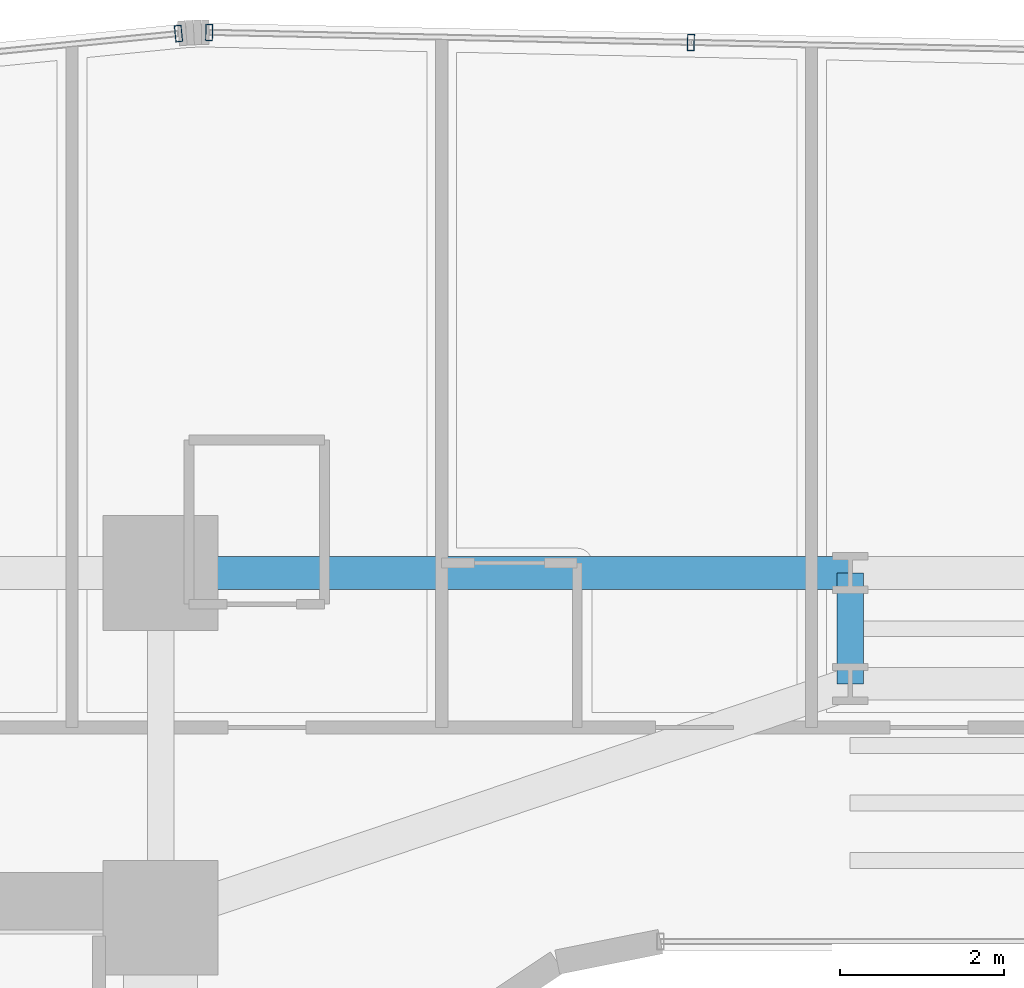
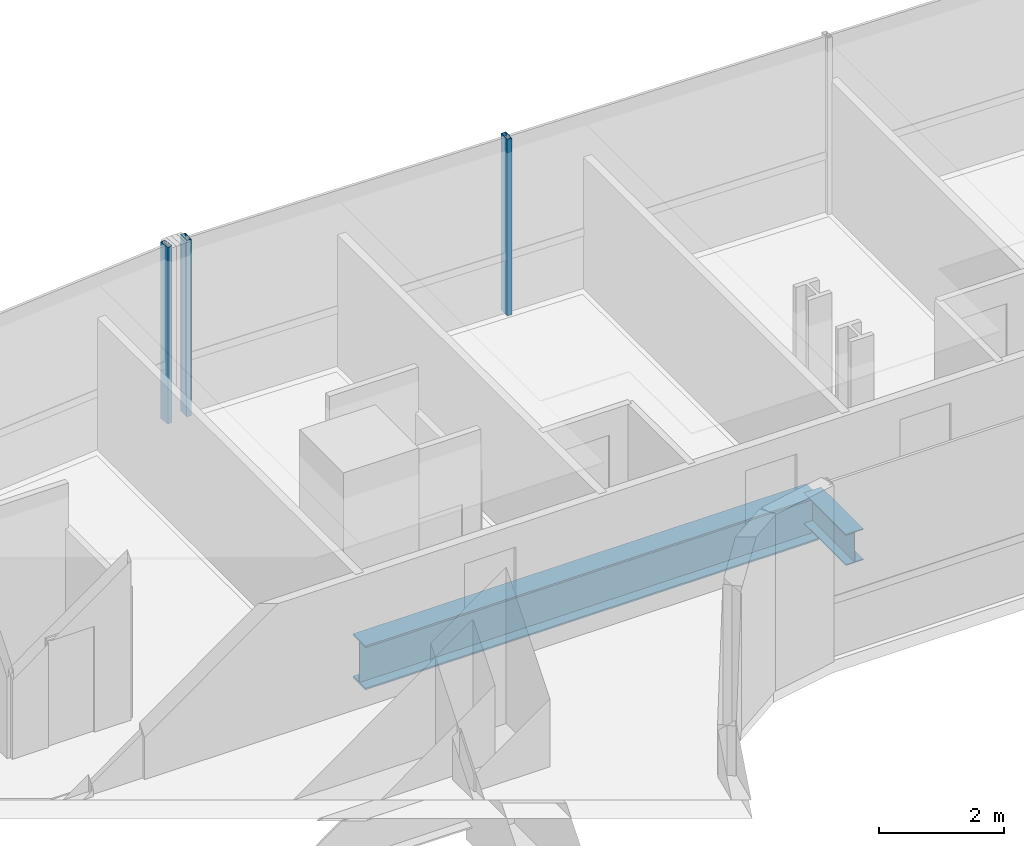
# One storey, part 20 of 40: 3 members, 2 beams, 2 elements without a shape of their own.
"""IFC4 building model written with IfcOpenShell, lengths in metres."""

from ifc_helpers import new_model, si_unit, direction, frame, origin, origin_2d, place, context, subcontext, project, spatial, hollow_rectangle, i_section, extrude, source, transform, mapped, material, material_profile, profile_set, type_object, element, aggregate, save


model = new_model("IFC4")

# Units and contexts
model_context = context("Model", 3, precision=1e-05, world=origin(), true_north=direction((0.0, 1.0)))
body_context = subcontext(model_context, "Body", "Model", "MODEL_VIEW")
ifc_project = project(units=[si_unit("LENGTHUNIT", "METRE"), si_unit("AREAUNIT", "SQUARE_METRE"), si_unit("VOLUMEUNIT", "CUBIC_METRE"), si_unit("PLANEANGLEUNIT", "RADIAN"), si_unit("MASSUNIT", "GRAM", prefix="KILO")], contexts=[model_context])

# Site, building, storey
site_placement = place(None, origin())
site = spatial("IfcSite", under=ifc_project, at=site_placement, CompositionType="ELEMENT")
building_placement = place(site_placement, origin())
building = spatial("IfcBuilding", under=site, at=building_placement, Name="Valdorenza Pilgrim Sanctuary Tower", CompositionType="ELEMENT")
storey_placement = place(building_placement, frame((0.0, 0.0, 92.60009765625)))
storey = spatial("IfcBuildingStorey", under=building, at=storey_placement, Name="L23", CompositionType="ELEMENT", Elevation=92.60009765625)

# Beams
ifc_material_1 = material(Name="Steel ASTM A992 Grade 50", Category="steel")
ifc_material_profile_1 = material_profile(ifc_material_1, i_section(OverallWidth=0.39990234375, OverallDepth=0.862060546875, WebThickness=0.019775390625, FlangeThickness=0.032470703125, at=origin_2d()), Name="W33X221")
ifc_profile_set_1 = profile_set([ifc_material_profile_1], Name="Steel ASTM A992 Grade 50")
beam_type_1 = type_object("IfcBeamType", Name="STR-BM-GRD-W33", PredefinedType="BEAM", material=ifc_profile_set_1)
shared_shape_1 = source(origin(), body_context, "Body", "SweptSolid", [
    extrude(i_section(OverallWidth=0.39990234375, OverallDepth=0.862060546875, WebThickness=0.019775390625, FlangeThickness=0.032470703125, at=origin_2d()), origin(), (0.0, 0.0, 1.0), 8.39990234375),
])
beam_1_placement = place(storey_placement, frame((-12.39990234375, 14.800048828125, -0.671142578125), z_axis=(1.0, 0.0, 0.0), x_axis=(0.0, 1.0, 0.0)))
element("IfcBeam", 1, at=beam_1_placement, inside=storey, type_object=beam_type_1, Name="L23 Floor Girder KNK-G4", PredefinedType="BEAM", context=body_context, shape_type="MappedRepresentation", body=[
    mapped(shared_shape_1, transform((0.0, 0.0, 0.0), x_axis=(1.0, 0.0, 0.0), y_axis=(0.0, 1.0, 0.0), z_axis=(0.0, 0.0, 1.0), scale=1.0)),
])
ifc_material_profile_2 = material_profile(ifc_material_1, i_section(OverallWidth=0.323974609375, OverallDepth=0.611083984375, WebThickness=0.0126953125, FlangeThickness=0.01904296875, at=origin_2d()), Name="W24X104")
ifc_profile_set_2 = profile_set([ifc_material_profile_2], Name="Steel ASTM A992 Grade 50")
beam_type_2 = type_object("IfcBeamType", Name="STR-BM-GRD-W24B", PredefinedType="BEAM", material=ifc_profile_set_2)
shared_shape_2 = source(origin(), body_context, "Body", "SweptSolid", [
    extrude(i_section(OverallWidth=0.323974609375, OverallDepth=0.611083984375, WebThickness=0.0126953125, FlangeThickness=0.01904296875, at=origin_2d()), origin(), (0.0, 0.0, 1.0), 1.35009765625),
])
beam_2_placement = place(storey_placement, frame((-4.0, 13.449951171875, -0.545654296875), z_axis=(0.0, 1.0, 0.0), x_axis=(-1.0, 0.0, 0.0)))
element("IfcBeam", 2, at=beam_2_placement, inside=storey, type_object=beam_type_2, Name="L23 Floor Girder KNK-TIE-W", PredefinedType="BEAM", context=body_context, shape_type="MappedRepresentation", body=[
    mapped(shared_shape_2, transform((0.0, 0.0, 0.0), x_axis=(1.0, 0.0, 0.0), y_axis=(0.0, 1.0, 0.0), z_axis=(0.0, 0.0, 1.0), scale=1.0)),
])

# Curtain wall, member
ifc_material_2 = material(Name="Curtain-wall IGU glazing", Category="glass")
curtain_wall_type = type_object("IfcCurtainWallType", Name="CW-SYS-02", PredefinedType="NOTDEFINED", material=ifc_material_2)
curtain_wall_1_placement = place(storey_placement, origin())
curtain_wall_1 = element("IfcCurtainWall", 3, at=curtain_wall_1_placement, inside=storey, type_object=curtain_wall_type, Name="L23 Curtain Wall CW-L23-1-6", PredefinedType="NOTDEFINED")
ifc_material_3 = material(Name="Anodised aluminium AW-6060", Category="aluminium")
ifc_material_profile_3 = material_profile(ifc_material_3, hollow_rectangle(XDim=0.0849609375, YDim=0.199951171875, WallThickness=0.0048828125, at=origin_2d()), Name="ALU-M 200x85x5")
ifc_profile_set_3 = profile_set([ifc_material_profile_3], Name="Anodised aluminium AW-6060")
member_type = type_object("IfcMemberType", Name="CW-MUL-02", PredefinedType="MULLION", material=ifc_profile_set_3)
shared_shape_3 = source(origin(), body_context, "Body", "SweptSolid", [
    extrude(hollow_rectangle(XDim=0.0849609375, YDim=0.199951171875, WallThickness=0.0048828125, at=origin_2d()), origin(), (0.0, 0.0, 1.0), 3.4599609375),
])
member_1_placement = place(storey_placement, frame((-12.181884765625, 21.371337890625, 0.0), z_axis=(0.0, 0.0, 1.0), x_axis=(0.995038220239, 0.099493418189, 0.0)))
member_1 = element("IfcMember", 4, at=member_1_placement, type_object=member_type, Name="CW-L23-1-6 Mullion 4", PredefinedType="MULLION", context=body_context, shape_type="MappedRepresentation", body=[
    mapped(shared_shape_3, transform((0.0, 0.0, 0.0), x_axis=(1.0, 0.0, 0.0), y_axis=(0.0, 1.0, 0.0), z_axis=(0.0, 0.0, 1.0), scale=1.0)),
])
aggregate(curtain_wall_1, [member_1])

# Curtain wall, members
curtain_wall_2_placement = place(storey_placement, origin())
curtain_wall_2 = element("IfcCurtainWall", 5, at=curtain_wall_2_placement, inside=storey, type_object=curtain_wall_type, Name="L23 Curtain Wall CW-L23-1-11", PredefinedType="NOTDEFINED")
member_2_placement = place(storey_placement, frame((-11.808349609375, 21.385986328125, 0.0), z_axis=(0.0, 0.0, 1.0), x_axis=(0.999783234613, -0.020820273474, 0.0)))
member_2 = element("IfcMember", 6, at=member_2_placement, type_object=member_type, Name="CW-L23-1-11 Mullion 1", PredefinedType="MULLION", context=body_context, shape_type="MappedRepresentation", body=[
    mapped(shared_shape_3, transform((0.0, 0.0, 0.0), x_axis=(1.0, 0.0, 0.0), y_axis=(0.0, 1.0, 0.0), z_axis=(0.0, 0.0, 1.0), scale=1.0)),
])
member_3_placement = place(storey_placement, frame((-5.93994140625, 21.263671875, 0.0), z_axis=(0.0, 0.0, 1.0), x_axis=(0.999783234613, -0.020820273474, 0.0)))
member_3 = element("IfcMember", 7, at=member_3_placement, type_object=member_type, Name="CW-L23-1-11 Mullion 2", PredefinedType="MULLION", context=body_context, shape_type="MappedRepresentation", body=[
    mapped(shared_shape_3, transform((0.0, 0.0, 0.0), x_axis=(1.0, 0.0, 0.0), y_axis=(0.0, 1.0, 0.0), z_axis=(0.0, 0.0, 1.0), scale=1.0)),
])
aggregate(curtain_wall_2, [member_2, member_3])

save(model, "model.ifc")
